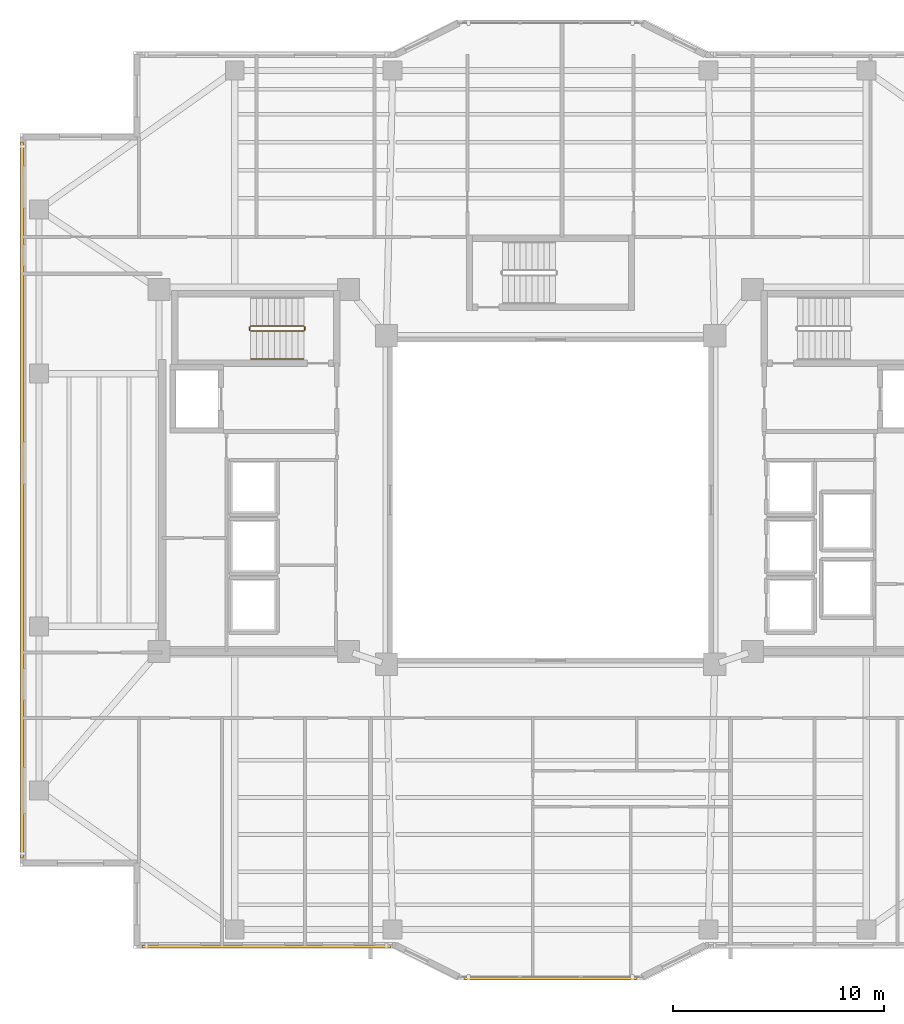
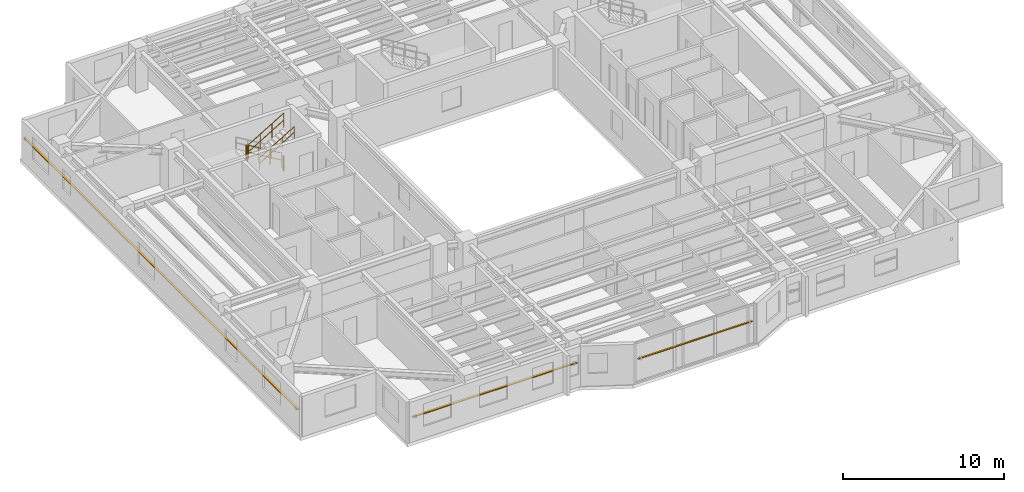
# One storey, part 13 of 15: 5 railings, 3 shading devices.
"""IFC4 building model written with IfcOpenShell, lengths in metres."""

from ifc_helpers import new_model, si_unit, direction, frame, origin, origin_2d, place, context, subcontext, project, spatial, rectangle, circle, extrude, material, material_profile, profile_set, type_object, element, save


model = new_model("IFC4")

# Units and contexts
model_context = context("Model", 3, precision=1e-05, world=origin(), true_north=direction((0.0, 1.0)))
body_context = subcontext(model_context, "Body", "Model", "MODEL_VIEW")
ifc_project = project(units=[si_unit("LENGTHUNIT", "METRE"), si_unit("AREAUNIT", "SQUARE_METRE"), si_unit("VOLUMEUNIT", "CUBIC_METRE"), si_unit("PLANEANGLEUNIT", "RADIAN"), si_unit("MASSUNIT", "GRAM", prefix="KILO")], contexts=[model_context])

# Site, building, storey
site_placement = place(None, origin())
site = spatial("IfcSite", under=ifc_project, at=site_placement, CompositionType="ELEMENT")
building_placement = place(site_placement, origin())
building = spatial("IfcBuilding", under=site, at=building_placement, Name="Tarnavaz Court Tower", CompositionType="ELEMENT")
storey_placement = place(building_placement, frame((0.0, 0.0, 169.449951171875)))
storey = spatial("IfcBuildingStorey", under=building, at=storey_placement, Name="L46", CompositionType="ELEMENT", Elevation=169.449951171875)

# Railings
ifc_material_1 = material(Name="Brushed Stainless Steel", Category="steel")
railing_type_1 = type_object("IfcRailingType", Name="RL-HANDRAIL-900", PredefinedType="HANDRAIL", material=ifc_material_1)
railing_1_placement = place(storey_placement, frame((-14.239990234375, 6.699951171875, 1.842529296875)))
element("IfcRailing", 1, at=railing_1_placement, inside=storey, type_object=railing_type_1, Name="L46 ST-W1 stair handrail 2", PredefinedType="HANDRAIL", context=body_context, shape_type="SweptSolid", body=[
    extrude(circle(Radius=0.02392578125, at=origin_2d()), frame((0.0, 0.0, 0.8759765625), z_axis=(0.858159760407, 0.0, 0.513382728203), x_axis=(0.0, 1.0, 0.0)), (0.0, 0.0, 1.0), 2.9365234375),
    extrude(circle(Radius=0.02392578125, at=origin_2d()), frame((0.0, 0.0, 0.449951171875), z_axis=(0.858159760407, 0.0, 0.513382728203), x_axis=(0.0, 1.0, 0.0)), (0.0, 0.0, 1.0), 2.9365234375),
    extrude(circle(Radius=0.02099609375, at=origin_2d()), origin(), (0.0, 0.0, 1.0), 0.851806640625),
    extrude(circle(Radius=0.02099609375, at=origin_2d()), frame((0.840087890625, 0.0, 0.50244140625)), (0.0, 0.0, 1.0), 0.851806640625),
    extrude(circle(Radius=0.02099609375, at=origin_2d()), frame((1.679931640625, 0.0, 1.005126953125)), (0.0, 0.0, 1.0), 0.851806640625),
    extrude(circle(Radius=0.02099609375, at=origin_2d()), frame((2.52001953125, 0.0, 1.507568359375)), (0.0, 0.0, 1.0), 0.851806640625),
])
ifc_material_2 = material(Name="Galvanized Painted Tubular Steel", Category="steel")
railing_type_2 = type_object("IfcRailingType", Name="RL-STGUARD-1120", PredefinedType="GUARDRAIL", material=ifc_material_2)
railing_2_placement = place(storey_placement, frame((-11.719970703125, 8.27001953125, 0.16748046875)))
element("IfcRailing", 2, at=railing_2_placement, inside=storey, type_object=railing_type_2, Name="L46 ST-W1 stair guard 1", PredefinedType="GUARDRAIL", context=body_context, shape_type="SweptSolid", body=[
    extrude(circle(Radius=0.02392578125, at=origin_2d()), frame((0.0, 0.0, 1.09619140625), z_axis=(-0.858159760407, 0.0, 0.513382728203), x_axis=(0.0, -1.0, 0.0)), (0.0, 0.0, 1.0), 2.9365234375),
    extrude(circle(Radius=0.02392578125, at=origin_2d()), frame((0.0, 0.0, 0.56005859375), z_axis=(-0.858159760407, 0.0, 0.513382728203), x_axis=(0.0, -1.0, 0.0)), (0.0, 0.0, 1.0), 2.9365234375),
    extrude(circle(Radius=0.02099609375, at=origin_2d()), origin(), (0.0, 0.0, 1.0), 1.072021484375),
    extrude(circle(Radius=0.02099609375, at=origin_2d()), frame((-0.840087890625, 0.0, 0.50244140625)), (0.0, 0.0, 1.0), 1.072021484375),
    extrude(circle(Radius=0.02099609375, at=origin_2d()), frame((-1.679931640625, 0.0, 1.005126953125)), (0.0, 0.0, 1.0), 1.072021484375),
    extrude(circle(Radius=0.02099609375, at=origin_2d()), frame((-2.52001953125, 0.0, 1.507568359375)), (0.0, 0.0, 1.0), 1.072021484375),
])
railing_3_placement = place(storey_placement, frame((-14.2900390625, 8.219970703125, 1.675048828125)))
element("IfcRailing", 3, at=railing_3_placement, inside=storey, type_object=railing_type_2, Name="L46 ST-W1 stair guard 2", PredefinedType="GUARDRAIL", context=body_context, shape_type="SweptSolid", body=[
    extrude(circle(Radius=0.02392578125, at=origin_2d()), frame((0.0, 0.0, 1.09619140625), z_axis=(0.0, -1.0, 0.0), x_axis=(1.0, 0.0, 0.0)), (0.0, 0.0, 1.0), 0.14990234375),
    extrude(circle(Radius=0.02392578125, at=origin_2d()), frame((0.0, 0.0, 0.56005859375), z_axis=(0.0, -1.0, 0.0), x_axis=(1.0, 0.0, 0.0)), (0.0, 0.0, 1.0), 0.14990234375),
    extrude(circle(Radius=0.02099609375, at=origin_2d()), origin(), (0.0, 0.0, 1.0), 1.072021484375),
    extrude(circle(Radius=0.02099609375, at=origin_2d()), frame((0.0, -0.14990234375, 0.0)), (0.0, 0.0, 1.0), 1.072021484375),
])
railing_4_placement = place(storey_placement, frame((-14.239990234375, 8.02001953125, 1.842529296875)))
element("IfcRailing", 4, at=railing_4_placement, inside=storey, type_object=railing_type_2, Name="L46 ST-W1 stair guard 3", PredefinedType="GUARDRAIL", context=body_context, shape_type="SweptSolid", body=[
    extrude(circle(Radius=0.02392578125, at=origin_2d()), frame((0.0, 0.0, 1.09619140625), z_axis=(0.858159760407, 0.0, 0.513382728203), x_axis=(0.0, 1.0, 0.0)), (0.0, 0.0, 1.0), 2.9365234375),
    extrude(circle(Radius=0.02392578125, at=origin_2d()), frame((0.0, 0.0, 0.56005859375), z_axis=(0.858159760407, 0.0, 0.513382728203), x_axis=(0.0, 1.0, 0.0)), (0.0, 0.0, 1.0), 2.9365234375),
    extrude(circle(Radius=0.02099609375, at=origin_2d()), origin(), (0.0, 0.0, 1.0), 1.072021484375),
    extrude(circle(Radius=0.02099609375, at=origin_2d()), frame((0.840087890625, 0.0, 0.50244140625)), (0.0, 0.0, 1.0), 1.072021484375),
    extrude(circle(Radius=0.02099609375, at=origin_2d()), frame((1.679931640625, 0.0, 1.005126953125)), (0.0, 0.0, 1.0), 1.072021484375),
    extrude(circle(Radius=0.02099609375, at=origin_2d()), frame((2.52001953125, 0.0, 1.507568359375)), (0.0, 0.0, 1.0), 1.072021484375),
])
railing_5_placement = place(storey_placement, frame((-11.669921875, 8.219970703125, 0.0)))
element("IfcRailing", 5, at=railing_5_placement, inside=storey, type_object=railing_type_2, Name="L46 ST-W1 stair guard 4", PredefinedType="GUARDRAIL", context=body_context, shape_type="SweptSolid", body=[
    extrude(circle(Radius=0.02392578125, at=origin_2d()), frame((0.0, 0.0, 1.09619140625), z_axis=(0.0, -1.0, 0.0), x_axis=(1.0, 0.0, 0.0)), (0.0, 0.0, 1.0), 0.14990234375),
    extrude(circle(Radius=0.02392578125, at=origin_2d()), frame((0.0, 0.0, 0.56005859375), z_axis=(0.0, -1.0, 0.0), x_axis=(1.0, 0.0, 0.0)), (0.0, 0.0, 1.0), 0.14990234375),
    extrude(circle(Radius=0.02099609375, at=origin_2d()), origin(), (0.0, 0.0, 1.0), 1.072021484375),
    extrude(circle(Radius=0.02099609375, at=origin_2d()), frame((0.0, -0.14990234375, 0.0)), (0.0, 0.0, 1.0), 1.072021484375),
])

# Shading devices
ifc_material_3 = material(Name="Kiln-Fired Khorasan Terracotta Ceramic", Category="masonry")
ifc_material_profile_1 = material_profile(ifc_material_3, rectangle(XDim=0.1201171875, YDim=0.06005859375, at=origin_2d()), Name="TC BAGUETTE 120X60")
ifc_profile_set_1 = profile_set([ifc_material_profile_1], Name="Kiln-Fired Khorasan Terracotta Ceramic")
shading_device_type_1 = type_object("IfcShadingDeviceType", Name="SD-BAG-120", PredefinedType="USERDEFINED", material=ifc_profile_set_1)
shading_device_1_placement = place(storey_placement, frame((4.10009765625, -22.7099609375, 1.800048828125), z_axis=(-1.0, 0.0, 0.0), x_axis=(0.0, -1.0, 0.0)))
element("IfcShadingDevice", 6, at=shading_device_1_placement, inside=storey, type_object=shading_device_type_1, Name="L46 Terracotta Baguette Screen PBG17", ObjectType="BAGUETTE", PredefinedType="USERDEFINED", context=body_context, shape_type="SweptSolid", body=[
    extrude(rectangle(XDim=0.1201171875, YDim=0.06005859375, at=origin_2d()), origin(), (0.0, 0.0, 1.0), 8.2001953125),
])
ifc_material_profile_2 = material_profile(ifc_material_3, rectangle(XDim=0.14990234375, YDim=0.06494140625, at=origin_2d()), Name="TC BAGUETTE 150X65")
ifc_profile_set_2 = profile_set([ifc_material_profile_2], Name="Kiln-Fired Khorasan Terracotta Ceramic")
shading_device_type_2 = type_object("IfcShadingDeviceType", Name="SD-BAG-150", PredefinedType="USERDEFINED", material=ifc_profile_set_2)
shading_device_2_placement = place(storey_placement, frame((-25.110107421875, -17.0, 1.85009765625), z_axis=(0.0, 1.0, 0.0), x_axis=(-1.0, 0.0, 0.0)))
element("IfcShadingDevice", 7, at=shading_device_2_placement, inside=storey, type_object=shading_device_type_2, Name="L46 Terracotta Baguette Screen FBG02", ObjectType="BAGUETTE", PredefinedType="USERDEFINED", context=body_context, shape_type="SweptSolid", body=[
    extrude(rectangle(XDim=0.14990234375, YDim=0.06494140625, at=origin_2d()), origin(), (0.0, 0.0, 1.0), 34.0),
])
shading_device_3_placement = place(storey_placement, frame((-7.60009765625, -21.2099609375, 1.85009765625), z_axis=(-1.0, 0.0, 0.0), x_axis=(0.0, -1.0, 0.0)))
element("IfcShadingDevice", 8, at=shading_device_3_placement, inside=storey, type_object=shading_device_type_2, Name="L46 Terracotta Baguette Screen FBG19", ObjectType="BAGUETTE", PredefinedType="USERDEFINED", context=body_context, shape_type="SweptSolid", body=[
    extrude(rectangle(XDim=0.14990234375, YDim=0.06494140625, at=origin_2d()), origin(), (0.0, 0.0, 1.0), 11.7998046875),
])

save(model, "model.ifc")
